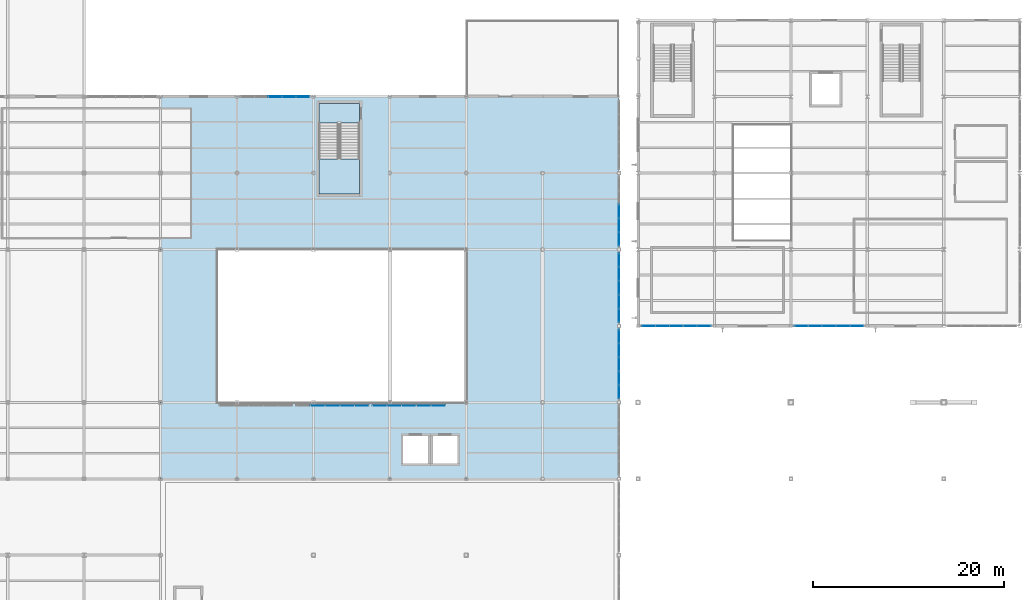
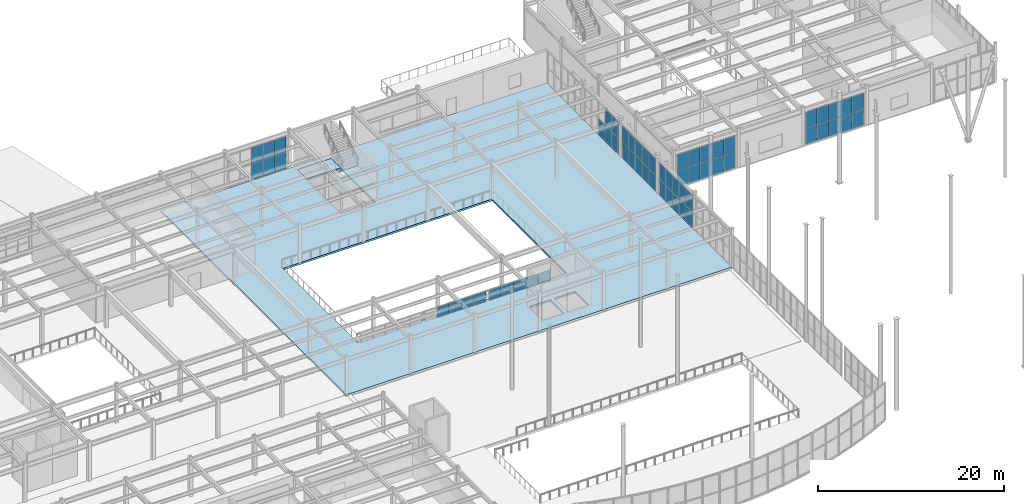
# One storey, part 50 of 77: 60 plates, 3 slabs, 9 elements without a shape of their own.
"""IFC4 building model written with IfcOpenShell, lengths in metres."""

from ifc_helpers import new_model, si_unit, direction, frame, origin, origin_2d, place, context, subcontext, project, spatial, polyline, rectangle, outline, extrude, material, layer, layer_set, type_object, element, aggregate, save


model = new_model("IFC4")

# Units and contexts
model_context = context("Model", 3, precision=1e-05, world=origin(), true_north=direction((0.0, 1.0)))
body_context = subcontext(model_context, "Body", "Model", "MODEL_VIEW")
ifc_project = project(units=[si_unit("LENGTHUNIT", "METRE"), si_unit("AREAUNIT", "SQUARE_METRE"), si_unit("VOLUMEUNIT", "CUBIC_METRE"), si_unit("PLANEANGLEUNIT", "RADIAN"), si_unit("MASSUNIT", "GRAM", prefix="KILO")], contexts=[model_context])

# Site, building, storey
site_placement = place(None, origin())
site = spatial("IfcSite", under=ifc_project, at=site_placement, CompositionType="ELEMENT")
building_placement = place(site_placement, origin())
building = spatial("IfcBuilding", under=site, at=building_placement, Name="Drelvath Fold Interchange", CompositionType="ELEMENT")
storey_placement = place(building_placement, frame((0.0, 0.0, 6.0)))
storey = spatial("IfcBuildingStorey", under=building, at=storey_placement, Name="L01", CompositionType="ELEMENT", Elevation=6.0)

# Curtain wall, plates
ifc_material_1 = material(Name="Anodized Aluminium 6063-T6", Category="aluminium")
curtain_wall_type_1 = type_object("IfcCurtainWallType", Name="CW-ATR-SCR", PredefinedType="USERDEFINED", material=ifc_material_1)
curtain_wall_1_placement = place(storey_placement, origin())
curtain_wall_1 = element("IfcCurtainWall", 1, at=curtain_wall_1_placement, inside=storey, type_object=curtain_wall_type_1, Name="Curtain wall CW-ATR-L01-S66", ObjectType="GLAZED SCREEN WALL", PredefinedType="USERDEFINED")
ifc_material_2 = material(Name="Low-Iron Insulated Laminated Glass", Category="glass")
ifc_layer_1 = layer(ifc_material_2, 0.02001953125, Name="Low-Iron Insulated Laminated Glass")
ifc_layer_set_1 = layer_set([ifc_layer_1], Name="Low-Iron Insulated Laminated Glass")
plate_type_1 = type_object("IfcPlateType", Name="CP-ATR-A", PredefinedType="CURTAIN_PANEL", material=ifc_layer_set_1)
plate_1_placement = place(storey_placement, frame((68.4599609375, 66.64990234375, 0.0400390625), z_axis=(0.0, 0.0, 1.0), x_axis=(1.0, 0.0, 0.0)))
plate_1 = element("IfcPlate", 2, at=plate_1_placement, type_object=plate_type_1, Name="CW-ATR-L01-S66 glazed panel 1-0", PredefinedType="CURTAIN_PANEL", context=body_context, shape_type="SweptSolid", body=[
    extrude(rectangle(XDim=1.52001953125, YDim=0.02001953125, at=origin_2d()), origin(), (0.0, 0.0, 1.0), 1.3701171875),
])
plate_2_placement = place(storey_placement, frame((70.0, 66.64990234375, 0.0400390625), z_axis=(0.0, 0.0, 1.0), x_axis=(1.0, 0.0, 0.0)))
plate_2 = element("IfcPlate", 3, at=plate_2_placement, type_object=plate_type_1, Name="CW-ATR-L01-S66 glazed panel 2-0", PredefinedType="CURTAIN_PANEL", context=body_context, shape_type="SweptSolid", body=[
    extrude(rectangle(XDim=1.52001953125, YDim=0.02001953125, at=origin_2d()), origin(), (0.0, 0.0, 1.0), 1.3701171875),
])
plate_3_placement = place(storey_placement, frame((71.5400390625, 66.64990234375, 0.0400390625), z_axis=(0.0, 0.0, 1.0), x_axis=(1.0, 0.0, 0.0)))
plate_3 = element("IfcPlate", 4, at=plate_3_placement, type_object=plate_type_1, Name="CW-ATR-L01-S66 glazed panel 3-0", PredefinedType="CURTAIN_PANEL", context=body_context, shape_type="SweptSolid", body=[
    extrude(rectangle(XDim=1.52001953125, YDim=0.02001953125, at=origin_2d()), origin(), (0.0, 0.0, 1.0), 1.3701171875),
])
plate_4_placement = place(storey_placement, frame((73.06005859375, 66.64990234375, 0.0400390625), z_axis=(0.0, 0.0, 1.0), x_axis=(1.0, 0.0, 0.0)))
plate_4 = element("IfcPlate", 5, at=plate_4_placement, type_object=plate_type_1, Name="CW-ATR-L01-S66 glazed panel 4-0", PredefinedType="CURTAIN_PANEL", context=body_context, shape_type="SweptSolid", body=[
    extrude(rectangle(XDim=1.47998046875, YDim=0.02001953125, at=origin_2d()), origin(), (0.0, 0.0, 1.0), 1.3701171875),
])
aggregate(curtain_wall_1, [plate_1, plate_2, plate_3, plate_4])

curtain_wall_2_placement = place(storey_placement, origin())
curtain_wall_2 = element("IfcCurtainWall", 6, at=curtain_wall_2_placement, inside=storey, type_object=curtain_wall_type_1, Name="Curtain wall CW-ATR-L01-S74", ObjectType="GLAZED SCREEN WALL", PredefinedType="USERDEFINED")
plate_5_placement = place(storey_placement, frame((74.93994140625, 66.64990234375, 0.0400390625), z_axis=(0.0, 0.0, 1.0), x_axis=(1.0, 0.0, 0.0)))
plate_5 = element("IfcPlate", 7, at=plate_5_placement, type_object=plate_type_1, Name="CW-ATR-L01-S74 glazed panel 0-0", PredefinedType="CURTAIN_PANEL", context=body_context, shape_type="SweptSolid", body=[
    extrude(rectangle(XDim=1.47998046875, YDim=0.02001953125, at=origin_2d()), origin(), (0.0, 0.0, 1.0), 1.3701171875),
])
plate_6_placement = place(storey_placement, frame((76.4599609375, 66.64990234375, 0.0400390625), z_axis=(0.0, 0.0, 1.0), x_axis=(1.0, 0.0, 0.0)))
plate_6 = element("IfcPlate", 8, at=plate_6_placement, type_object=plate_type_1, Name="CW-ATR-L01-S74 glazed panel 1-0", PredefinedType="CURTAIN_PANEL", context=body_context, shape_type="SweptSolid", body=[
    extrude(rectangle(XDim=1.52001953125, YDim=0.02001953125, at=origin_2d()), origin(), (0.0, 0.0, 1.0), 1.3701171875),
])
plate_7_placement = place(storey_placement, frame((78.0, 66.64990234375, 0.0400390625), z_axis=(0.0, 0.0, 1.0), x_axis=(1.0, 0.0, 0.0)))
plate_7 = element("IfcPlate", 9, at=plate_7_placement, type_object=plate_type_1, Name="CW-ATR-L01-S74 glazed panel 2-0", PredefinedType="CURTAIN_PANEL", context=body_context, shape_type="SweptSolid", body=[
    extrude(rectangle(XDim=1.52001953125, YDim=0.02001953125, at=origin_2d()), origin(), (0.0, 0.0, 1.0), 1.3701171875),
])
plate_8_placement = place(storey_placement, frame((79.5400390625, 66.64990234375, 0.0400390625), z_axis=(0.0, 0.0, 1.0), x_axis=(1.0, 0.0, 0.0)))
plate_8 = element("IfcPlate", 10, at=plate_8_placement, type_object=plate_type_1, Name="CW-ATR-L01-S74 glazed panel 3-0", PredefinedType="CURTAIN_PANEL", context=body_context, shape_type="SweptSolid", body=[
    extrude(rectangle(XDim=1.52001953125, YDim=0.02001953125, at=origin_2d()), origin(), (0.0, 0.0, 1.0), 1.3701171875),
])
plate_9_placement = place(storey_placement, frame((81.06005859375, 66.64990234375, 0.0400390625), z_axis=(0.0, 0.0, 1.0), x_axis=(1.0, 0.0, 0.0)))
plate_9 = element("IfcPlate", 11, at=plate_9_placement, type_object=plate_type_1, Name="CW-ATR-L01-S74 glazed panel 4-0", PredefinedType="CURTAIN_PANEL", context=body_context, shape_type="SweptSolid", body=[
    extrude(rectangle(XDim=1.47998046875, YDim=0.02001953125, at=origin_2d()), origin(), (0.0, 0.0, 1.0), 1.3701171875),
])
aggregate(curtain_wall_2, [plate_5, plate_6, plate_7, plate_8, plate_9])

curtain_wall_type_2 = type_object("IfcCurtainWallType", Name="CW-CON-520", PredefinedType="USERDEFINED", material=ifc_material_1)
curtain_wall_3_placement = place(storey_placement, origin())
curtain_wall_3 = element("IfcCurtainWall", 12, at=curtain_wall_3_placement, inside=storey, type_object=curtain_wall_type_2, Name="Curtain wall CW-V1-L01-N60", ObjectType="UNITISED CURTAIN WALL", PredefinedType="USERDEFINED")
ifc_layer_2 = layer(ifc_material_2, 0.05810546875, Name="Low-Iron Insulated Laminated Glass")
ifc_layer_set_2 = layer_set([ifc_layer_2], Name="Low-Iron Insulated Laminated Glass")
plate_type_2 = type_object("IfcPlateType", Name="CP-CON-B", PredefinedType="CURTAIN_PANEL", material=ifc_layer_set_2)
plate_10_placement = place(storey_placement, frame((64.0, 99.0, 0.04052734375), z_axis=(0.0, 0.0, 1.0), x_axis=(1.0, 0.0, 0.0)))
plate_10 = element("IfcPlate", 13, at=plate_10_placement, type_object=plate_type_2, Name="CW-V1-L01-N60 glazed panel 2-0", PredefinedType="CURTAIN_PANEL", context=body_context, shape_type="SweptSolid", body=[
    extrude(rectangle(XDim=1.43603515625, YDim=0.05810546875, at=origin_2d()), origin(), (0.0, 0.0, 1.0), 2.125),
])
plate_11_placement = place(storey_placement, frame((64.0, 99.0, 2.185546875), z_axis=(0.0, 0.0, 1.0), x_axis=(1.0, 0.0, 0.0)))
plate_11 = element("IfcPlate", 14, at=plate_11_placement, type_object=plate_type_2, Name="CW-V1-L01-N60 glazed panel 2-1", PredefinedType="CURTAIN_PANEL", context=body_context, shape_type="SweptSolid", body=[
    extrude(rectangle(XDim=1.43603515625, YDim=0.05810546875, at=origin_2d()), origin(), (0.0, 0.0, 1.0), 2.125),
])
plate_12_placement = place(storey_placement, frame((65.4560546875, 99.0, 0.04052734375), z_axis=(0.0, 0.0, 1.0), x_axis=(1.0, 0.0, 0.0)))
plate_12 = element("IfcPlate", 15, at=plate_12_placement, type_object=plate_type_2, Name="CW-V1-L01-N60 glazed panel 3-0", PredefinedType="CURTAIN_PANEL", context=body_context, shape_type="SweptSolid", body=[
    extrude(rectangle(XDim=1.43603515625, YDim=0.05810546875, at=origin_2d()), origin(), (0.0, 0.0, 1.0), 2.125),
])
plate_13_placement = place(storey_placement, frame((65.4560546875, 99.0, 2.185546875), z_axis=(0.0, 0.0, 1.0), x_axis=(1.0, 0.0, 0.0)))
plate_13 = element("IfcPlate", 16, at=plate_13_placement, type_object=plate_type_2, Name="CW-V1-L01-N60 glazed panel 3-1", PredefinedType="CURTAIN_PANEL", context=body_context, shape_type="SweptSolid", body=[
    extrude(rectangle(XDim=1.43603515625, YDim=0.05810546875, at=origin_2d()), origin(), (0.0, 0.0, 1.0), 2.125),
])
plate_14_placement = place(storey_placement, frame((66.89208984375, 99.0, 0.04052734375), z_axis=(0.0, 0.0, 1.0), x_axis=(1.0, 0.0, 0.0)))
plate_14 = element("IfcPlate", 17, at=plate_14_placement, type_object=plate_type_2, Name="CW-V1-L01-N60 glazed panel 4-0", PredefinedType="CURTAIN_PANEL", context=body_context, shape_type="SweptSolid", body=[
    extrude(rectangle(XDim=1.39599609375, YDim=0.05810546875, at=origin_2d()), origin(), (0.0, 0.0, 1.0), 2.125),
])
plate_15_placement = place(storey_placement, frame((66.89208984375, 99.0, 2.185546875), z_axis=(0.0, 0.0, 1.0), x_axis=(1.0, 0.0, 0.0)))
plate_15 = element("IfcPlate", 18, at=plate_15_placement, type_object=plate_type_2, Name="CW-V1-L01-N60 glazed panel 4-1", PredefinedType="CURTAIN_PANEL", context=body_context, shape_type="SweptSolid", body=[
    extrude(rectangle(XDim=1.39599609375, YDim=0.05810546875, at=origin_2d()), origin(), (0.0, 0.0, 1.0), 2.125),
])
aggregate(curtain_wall_3, [plate_10, plate_11, plate_12, plate_13, plate_14, plate_15])

curtain_wall_4_placement = place(storey_placement, origin())
curtain_wall_4 = element("IfcCurtainWall", 19, at=curtain_wall_4_placement, inside=storey, type_object=curtain_wall_type_2, Name="Curtain wall CW-V1E-L01-Y67", ObjectType="UNITISED CURTAIN WALL", PredefinedType="USERDEFINED")
plate_16_placement = place(storey_placement, frame((100.0, 68.10791015625, 0.04052734375), z_axis=(0.0, 0.0, 1.0), x_axis=(0.0, 1.0, 0.0)))
plate_16 = element("IfcPlate", 20, at=plate_16_placement, type_object=plate_type_2, Name="CW-V1E-L01-Y67 glazed panel 0-0", PredefinedType="CURTAIN_PANEL", context=body_context, shape_type="SweptSolid", body=[
    extrude(rectangle(XDim=1.39599609375, YDim=0.05810546875, at=origin_2d()), origin(), (0.0, 0.0, 1.0), 2.125),
])
plate_17_placement = place(storey_placement, frame((100.0, 68.10791015625, 2.185546875), z_axis=(0.0, 0.0, 1.0), x_axis=(0.0, 1.0, 0.0)))
plate_17 = element("IfcPlate", 21, at=plate_17_placement, type_object=plate_type_2, Name="CW-V1E-L01-Y67 glazed panel 0-1", PredefinedType="CURTAIN_PANEL", context=body_context, shape_type="SweptSolid", body=[
    extrude(rectangle(XDim=1.39599609375, YDim=0.05810546875, at=origin_2d()), origin(), (0.0, 0.0, 1.0), 2.125),
])
plate_18_placement = place(storey_placement, frame((100.0, 69.5439453125, 0.04052734375), z_axis=(0.0, 0.0, 1.0), x_axis=(0.0, 1.0, 0.0)))
plate_18 = element("IfcPlate", 22, at=plate_18_placement, type_object=plate_type_2, Name="CW-V1E-L01-Y67 glazed panel 1-0", PredefinedType="CURTAIN_PANEL", context=body_context, shape_type="SweptSolid", body=[
    extrude(rectangle(XDim=1.43603515625, YDim=0.05810546875, at=origin_2d()), origin(), (0.0, 0.0, 1.0), 2.125),
])
plate_19_placement = place(storey_placement, frame((100.0, 69.5439453125, 2.185546875), z_axis=(0.0, 0.0, 1.0), x_axis=(0.0, 1.0, 0.0)))
plate_19 = element("IfcPlate", 23, at=plate_19_placement, type_object=plate_type_2, Name="CW-V1E-L01-Y67 glazed panel 1-1", PredefinedType="CURTAIN_PANEL", context=body_context, shape_type="SweptSolid", body=[
    extrude(rectangle(XDim=1.43603515625, YDim=0.05810546875, at=origin_2d()), origin(), (0.0, 0.0, 1.0), 2.125),
])
plate_20_placement = place(storey_placement, frame((100.0, 71.0, 0.04052734375), z_axis=(0.0, 0.0, 1.0), x_axis=(0.0, 1.0, 0.0)))
plate_20 = element("IfcPlate", 24, at=plate_20_placement, type_object=plate_type_2, Name="CW-V1E-L01-Y67 glazed panel 2-0", PredefinedType="CURTAIN_PANEL", context=body_context, shape_type="SweptSolid", body=[
    extrude(rectangle(XDim=1.43603515625, YDim=0.05810546875, at=origin_2d()), origin(), (0.0, 0.0, 1.0), 2.125),
])
plate_21_placement = place(storey_placement, frame((100.0, 71.0, 2.185546875), z_axis=(0.0, 0.0, 1.0), x_axis=(0.0, 1.0, 0.0)))
plate_21 = element("IfcPlate", 25, at=plate_21_placement, type_object=plate_type_2, Name="CW-V1E-L01-Y67 glazed panel 2-1", PredefinedType="CURTAIN_PANEL", context=body_context, shape_type="SweptSolid", body=[
    extrude(rectangle(XDim=1.43603515625, YDim=0.05810546875, at=origin_2d()), origin(), (0.0, 0.0, 1.0), 2.125),
])
plate_22_placement = place(storey_placement, frame((100.0, 72.4560546875, 0.04052734375), z_axis=(0.0, 0.0, 1.0), x_axis=(0.0, 1.0, 0.0)))
plate_22 = element("IfcPlate", 26, at=plate_22_placement, type_object=plate_type_2, Name="CW-V1E-L01-Y67 glazed panel 3-0", PredefinedType="CURTAIN_PANEL", context=body_context, shape_type="SweptSolid", body=[
    extrude(rectangle(XDim=1.43603515625, YDim=0.05810546875, at=origin_2d()), origin(), (0.0, 0.0, 1.0), 2.125),
])
plate_23_placement = place(storey_placement, frame((100.0, 72.4560546875, 2.185546875), z_axis=(0.0, 0.0, 1.0), x_axis=(0.0, 1.0, 0.0)))
plate_23 = element("IfcPlate", 27, at=plate_23_placement, type_object=plate_type_2, Name="CW-V1E-L01-Y67 glazed panel 3-1", PredefinedType="CURTAIN_PANEL", context=body_context, shape_type="SweptSolid", body=[
    extrude(rectangle(XDim=1.43603515625, YDim=0.05810546875, at=origin_2d()), origin(), (0.0, 0.0, 1.0), 2.125),
])
plate_24_placement = place(storey_placement, frame((100.0, 73.89208984375, 0.04052734375), z_axis=(0.0, 0.0, 1.0), x_axis=(0.0, 1.0, 0.0)))
plate_24 = element("IfcPlate", 28, at=plate_24_placement, type_object=plate_type_2, Name="CW-V1E-L01-Y67 glazed panel 4-0", PredefinedType="CURTAIN_PANEL", context=body_context, shape_type="SweptSolid", body=[
    extrude(rectangle(XDim=1.39599609375, YDim=0.05810546875, at=origin_2d()), origin(), (0.0, 0.0, 1.0), 2.125),
])
plate_25_placement = place(storey_placement, frame((100.0, 73.89208984375, 2.185546875), z_axis=(0.0, 0.0, 1.0), x_axis=(0.0, 1.0, 0.0)))
plate_25 = element("IfcPlate", 29, at=plate_25_placement, type_object=plate_type_2, Name="CW-V1E-L01-Y67 glazed panel 4-1", PredefinedType="CURTAIN_PANEL", context=body_context, shape_type="SweptSolid", body=[
    extrude(rectangle(XDim=1.39599609375, YDim=0.05810546875, at=origin_2d()), origin(), (0.0, 0.0, 1.0), 2.125),
])
aggregate(curtain_wall_4, [plate_16, plate_17, plate_18, plate_19, plate_20, plate_21, plate_22, plate_23, plate_24, plate_25])

curtain_wall_5_placement = place(storey_placement, origin())
curtain_wall_5 = element("IfcCurtainWall", 30, at=curtain_wall_5_placement, inside=storey, type_object=curtain_wall_type_2, Name="Curtain wall CW-V1E-L01-Y75", ObjectType="UNITISED CURTAIN WALL", PredefinedType="USERDEFINED")
plate_26_placement = place(storey_placement, frame((100.0, 76.10791015625, 0.04052734375), z_axis=(0.0, 0.0, 1.0), x_axis=(0.0, 1.0, 0.0)))
plate_26 = element("IfcPlate", 31, at=plate_26_placement, type_object=plate_type_2, Name="CW-V1E-L01-Y75 glazed panel 0-0", PredefinedType="CURTAIN_PANEL", context=body_context, shape_type="SweptSolid", body=[
    extrude(rectangle(XDim=1.39599609375, YDim=0.05810546875, at=origin_2d()), origin(), (0.0, 0.0, 1.0), 2.125),
])
plate_27_placement = place(storey_placement, frame((100.0, 76.10791015625, 2.185546875), z_axis=(0.0, 0.0, 1.0), x_axis=(0.0, 1.0, 0.0)))
plate_27 = element("IfcPlate", 32, at=plate_27_placement, type_object=plate_type_2, Name="CW-V1E-L01-Y75 glazed panel 0-1", PredefinedType="CURTAIN_PANEL", context=body_context, shape_type="SweptSolid", body=[
    extrude(rectangle(XDim=1.39599609375, YDim=0.05810546875, at=origin_2d()), origin(), (0.0, 0.0, 1.0), 2.125),
])
plate_28_placement = place(storey_placement, frame((100.0, 77.5439453125, 0.04052734375), z_axis=(0.0, 0.0, 1.0), x_axis=(0.0, 1.0, 0.0)))
plate_28 = element("IfcPlate", 33, at=plate_28_placement, type_object=plate_type_2, Name="CW-V1E-L01-Y75 glazed panel 1-0", PredefinedType="CURTAIN_PANEL", context=body_context, shape_type="SweptSolid", body=[
    extrude(rectangle(XDim=1.43603515625, YDim=0.05810546875, at=origin_2d()), origin(), (0.0, 0.0, 1.0), 2.125),
])
plate_29_placement = place(storey_placement, frame((100.0, 77.5439453125, 2.185546875), z_axis=(0.0, 0.0, 1.0), x_axis=(0.0, 1.0, 0.0)))
plate_29 = element("IfcPlate", 34, at=plate_29_placement, type_object=plate_type_2, Name="CW-V1E-L01-Y75 glazed panel 1-1", PredefinedType="CURTAIN_PANEL", context=body_context, shape_type="SweptSolid", body=[
    extrude(rectangle(XDim=1.43603515625, YDim=0.05810546875, at=origin_2d()), origin(), (0.0, 0.0, 1.0), 2.125),
])
plate_30_placement = place(storey_placement, frame((100.0, 79.0, 0.04052734375), z_axis=(0.0, 0.0, 1.0), x_axis=(0.0, 1.0, 0.0)))
plate_30 = element("IfcPlate", 35, at=plate_30_placement, type_object=plate_type_2, Name="CW-V1E-L01-Y75 glazed panel 2-0", PredefinedType="CURTAIN_PANEL", context=body_context, shape_type="SweptSolid", body=[
    extrude(rectangle(XDim=1.43603515625, YDim=0.05810546875, at=origin_2d()), origin(), (0.0, 0.0, 1.0), 2.125),
])
plate_31_placement = place(storey_placement, frame((100.0, 79.0, 2.185546875), z_axis=(0.0, 0.0, 1.0), x_axis=(0.0, 1.0, 0.0)))
plate_31 = element("IfcPlate", 36, at=plate_31_placement, type_object=plate_type_2, Name="CW-V1E-L01-Y75 glazed panel 2-1", PredefinedType="CURTAIN_PANEL", context=body_context, shape_type="SweptSolid", body=[
    extrude(rectangle(XDim=1.43603515625, YDim=0.05810546875, at=origin_2d()), origin(), (0.0, 0.0, 1.0), 2.125),
])
plate_32_placement = place(storey_placement, frame((100.0, 80.4560546875, 0.04052734375), z_axis=(0.0, 0.0, 1.0), x_axis=(0.0, 1.0, 0.0)))
plate_32 = element("IfcPlate", 37, at=plate_32_placement, type_object=plate_type_2, Name="CW-V1E-L01-Y75 glazed panel 3-0", PredefinedType="CURTAIN_PANEL", context=body_context, shape_type="SweptSolid", body=[
    extrude(rectangle(XDim=1.43603515625, YDim=0.05810546875, at=origin_2d()), origin(), (0.0, 0.0, 1.0), 2.125),
])
plate_33_placement = place(storey_placement, frame((100.0, 80.4560546875, 2.185546875), z_axis=(0.0, 0.0, 1.0), x_axis=(0.0, 1.0, 0.0)))
plate_33 = element("IfcPlate", 38, at=plate_33_placement, type_object=plate_type_2, Name="CW-V1E-L01-Y75 glazed panel 3-1", PredefinedType="CURTAIN_PANEL", context=body_context, shape_type="SweptSolid", body=[
    extrude(rectangle(XDim=1.43603515625, YDim=0.05810546875, at=origin_2d()), origin(), (0.0, 0.0, 1.0), 2.125),
])
plate_34_placement = place(storey_placement, frame((100.0, 81.89208984375, 0.04052734375), z_axis=(0.0, 0.0, 1.0), x_axis=(0.0, 1.0, 0.0)))
plate_34 = element("IfcPlate", 39, at=plate_34_placement, type_object=plate_type_2, Name="CW-V1E-L01-Y75 glazed panel 4-0", PredefinedType="CURTAIN_PANEL", context=body_context, shape_type="SweptSolid", body=[
    extrude(rectangle(XDim=1.39599609375, YDim=0.05810546875, at=origin_2d()), origin(), (0.0, 0.0, 1.0), 2.125),
])
plate_35_placement = place(storey_placement, frame((100.0, 81.89208984375, 2.185546875), z_axis=(0.0, 0.0, 1.0), x_axis=(0.0, 1.0, 0.0)))
plate_35 = element("IfcPlate", 40, at=plate_35_placement, type_object=plate_type_2, Name="CW-V1E-L01-Y75 glazed panel 4-1", PredefinedType="CURTAIN_PANEL", context=body_context, shape_type="SweptSolid", body=[
    extrude(rectangle(XDim=1.39599609375, YDim=0.05810546875, at=origin_2d()), origin(), (0.0, 0.0, 1.0), 2.125),
])
aggregate(curtain_wall_5, [plate_26, plate_27, plate_28, plate_29, plate_30, plate_31, plate_32, plate_33, plate_34, plate_35])

curtain_wall_6_placement = place(storey_placement, origin())
curtain_wall_6 = element("IfcCurtainWall", 41, at=curtain_wall_6_placement, inside=storey, type_object=curtain_wall_type_2, Name="Curtain wall CW-V1E-L01-Y83", ObjectType="UNITISED CURTAIN WALL", PredefinedType="USERDEFINED")
plate_36_placement = place(storey_placement, frame((100.0, 84.10791015625, 0.04052734375), z_axis=(0.0, 0.0, 1.0), x_axis=(0.0, 1.0, 0.0)))
plate_36 = element("IfcPlate", 42, at=plate_36_placement, type_object=plate_type_2, Name="CW-V1E-L01-Y83 glazed panel 0-0", PredefinedType="CURTAIN_PANEL", context=body_context, shape_type="SweptSolid", body=[
    extrude(rectangle(XDim=1.39599609375, YDim=0.05810546875, at=origin_2d()), origin(), (0.0, 0.0, 1.0), 2.125),
])
plate_37_placement = place(storey_placement, frame((100.0, 84.10791015625, 2.185546875), z_axis=(0.0, 0.0, 1.0), x_axis=(0.0, 1.0, 0.0)))
plate_37 = element("IfcPlate", 43, at=plate_37_placement, type_object=plate_type_2, Name="CW-V1E-L01-Y83 glazed panel 0-1", PredefinedType="CURTAIN_PANEL", context=body_context, shape_type="SweptSolid", body=[
    extrude(rectangle(XDim=1.39599609375, YDim=0.05810546875, at=origin_2d()), origin(), (0.0, 0.0, 1.0), 2.125),
])
plate_38_placement = place(storey_placement, frame((100.0, 85.5439453125, 0.04052734375), z_axis=(0.0, 0.0, 1.0), x_axis=(0.0, 1.0, 0.0)))
plate_38 = element("IfcPlate", 44, at=plate_38_placement, type_object=plate_type_2, Name="CW-V1E-L01-Y83 glazed panel 1-0", PredefinedType="CURTAIN_PANEL", context=body_context, shape_type="SweptSolid", body=[
    extrude(rectangle(XDim=1.43603515625, YDim=0.05810546875, at=origin_2d()), origin(), (0.0, 0.0, 1.0), 2.125),
])
plate_39_placement = place(storey_placement, frame((100.0, 85.5439453125, 2.185546875), z_axis=(0.0, 0.0, 1.0), x_axis=(0.0, 1.0, 0.0)))
plate_39 = element("IfcPlate", 45, at=plate_39_placement, type_object=plate_type_2, Name="CW-V1E-L01-Y83 glazed panel 1-1", PredefinedType="CURTAIN_PANEL", context=body_context, shape_type="SweptSolid", body=[
    extrude(rectangle(XDim=1.43603515625, YDim=0.05810546875, at=origin_2d()), origin(), (0.0, 0.0, 1.0), 2.125),
])
plate_40_placement = place(storey_placement, frame((100.0, 87.0, 0.04052734375), z_axis=(0.0, 0.0, 1.0), x_axis=(0.0, 1.0, 0.0)))
plate_40 = element("IfcPlate", 46, at=plate_40_placement, type_object=plate_type_2, Name="CW-V1E-L01-Y83 glazed panel 2-0", PredefinedType="CURTAIN_PANEL", context=body_context, shape_type="SweptSolid", body=[
    extrude(rectangle(XDim=1.43603515625, YDim=0.05810546875, at=origin_2d()), origin(), (0.0, 0.0, 1.0), 2.125),
])
aggregate(curtain_wall_6, [plate_36, plate_37, plate_38, plate_39, plate_40])

curtain_wall_type_3 = type_object("IfcCurtainWallType", Name="CW-CYC-430", PredefinedType="USERDEFINED", material=ifc_material_1)
curtain_wall_7_placement = place(storey_placement, origin())
curtain_wall_7 = element("IfcCurtainWall", 47, at=curtain_wall_7_placement, inside=storey, type_object=curtain_wall_type_3, Name="Curtain wall CW-CYC-L01-S102", ObjectType="UNITISED CURTAIN WALL", PredefinedType="USERDEFINED")
ifc_layer_3 = layer(ifc_material_2, 0.028076171875, Name="Low-Iron Insulated Laminated Glass")
ifc_layer_set_3 = layer_set([ifc_layer_3], Name="Low-Iron Insulated Laminated Glass")
plate_type_3 = type_object("IfcPlateType", Name="CP-CYC-A", PredefinedType="CURTAIN_PANEL", material=ifc_layer_set_3)
plate_41_placement = place(storey_placement, frame((103.10791015625, 75.0, 0.0400390625), z_axis=(0.0, 0.0, 1.0), x_axis=(1.0, 0.0, 0.0)))
plate_41 = element("IfcPlate", 48, at=plate_41_placement, type_object=plate_type_3, Name="CW-CYC-L01-S102 glazed panel 0-0", PredefinedType="CURTAIN_PANEL", context=body_context, shape_type="SweptSolid", body=[
    extrude(rectangle(XDim=1.39599609375, YDim=0.028076171875, at=origin_2d()), origin(), (0.0, 0.0, 1.0), 2.10009765625),
])
plate_42_placement = place(storey_placement, frame((103.10791015625, 75.0, 2.159912109375), z_axis=(0.0, 0.0, 1.0), x_axis=(1.0, 0.0, 0.0)))
plate_42 = element("IfcPlate", 49, at=plate_42_placement, type_object=plate_type_3, Name="CW-CYC-L01-S102 glazed panel 0-1", PredefinedType="CURTAIN_PANEL", context=body_context, shape_type="SweptSolid", body=[
    extrude(rectangle(XDim=1.39599609375, YDim=0.028076171875, at=origin_2d()), origin(), (0.0, 0.0, 1.0), 2.10009765625),
])
plate_43_placement = place(storey_placement, frame((104.5439453125, 75.0, 0.0400390625), z_axis=(0.0, 0.0, 1.0), x_axis=(1.0, 0.0, 0.0)))
plate_43 = element("IfcPlate", 50, at=plate_43_placement, type_object=plate_type_3, Name="CW-CYC-L01-S102 glazed panel 1-0", PredefinedType="CURTAIN_PANEL", context=body_context, shape_type="SweptSolid", body=[
    extrude(rectangle(XDim=1.43603515625, YDim=0.028076171875, at=origin_2d()), origin(), (0.0, 0.0, 1.0), 2.10009765625),
])
plate_44_placement = place(storey_placement, frame((104.5439453125, 75.0, 2.159912109375), z_axis=(0.0, 0.0, 1.0), x_axis=(1.0, 0.0, 0.0)))
plate_44 = element("IfcPlate", 51, at=plate_44_placement, type_object=plate_type_3, Name="CW-CYC-L01-S102 glazed panel 1-1", PredefinedType="CURTAIN_PANEL", context=body_context, shape_type="SweptSolid", body=[
    extrude(rectangle(XDim=1.43603515625, YDim=0.028076171875, at=origin_2d()), origin(), (0.0, 0.0, 1.0), 2.10009765625),
])
plate_45_placement = place(storey_placement, frame((106.0, 75.0, 0.0400390625), z_axis=(0.0, 0.0, 1.0), x_axis=(1.0, 0.0, 0.0)))
plate_45 = element("IfcPlate", 52, at=plate_45_placement, type_object=plate_type_3, Name="CW-CYC-L01-S102 glazed panel 2-0", PredefinedType="CURTAIN_PANEL", context=body_context, shape_type="SweptSolid", body=[
    extrude(rectangle(XDim=1.43603515625, YDim=0.028076171875, at=origin_2d()), origin(), (0.0, 0.0, 1.0), 2.10009765625),
])
plate_46_placement = place(storey_placement, frame((106.0, 75.0, 2.159912109375), z_axis=(0.0, 0.0, 1.0), x_axis=(1.0, 0.0, 0.0)))
plate_46 = element("IfcPlate", 53, at=plate_46_placement, type_object=plate_type_3, Name="CW-CYC-L01-S102 glazed panel 2-1", PredefinedType="CURTAIN_PANEL", context=body_context, shape_type="SweptSolid", body=[
    extrude(rectangle(XDim=1.43603515625, YDim=0.028076171875, at=origin_2d()), origin(), (0.0, 0.0, 1.0), 2.10009765625),
])
plate_47_placement = place(storey_placement, frame((107.4560546875, 75.0, 0.0400390625), z_axis=(0.0, 0.0, 1.0), x_axis=(1.0, 0.0, 0.0)))
plate_47 = element("IfcPlate", 54, at=plate_47_placement, type_object=plate_type_3, Name="CW-CYC-L01-S102 glazed panel 3-0", PredefinedType="CURTAIN_PANEL", context=body_context, shape_type="SweptSolid", body=[
    extrude(rectangle(XDim=1.43603515625, YDim=0.028076171875, at=origin_2d()), origin(), (0.0, 0.0, 1.0), 2.10009765625),
])
plate_48_placement = place(storey_placement, frame((107.4560546875, 75.0, 2.159912109375), z_axis=(0.0, 0.0, 1.0), x_axis=(1.0, 0.0, 0.0)))
plate_48 = element("IfcPlate", 55, at=plate_48_placement, type_object=plate_type_3, Name="CW-CYC-L01-S102 glazed panel 3-1", PredefinedType="CURTAIN_PANEL", context=body_context, shape_type="SweptSolid", body=[
    extrude(rectangle(XDim=1.43603515625, YDim=0.028076171875, at=origin_2d()), origin(), (0.0, 0.0, 1.0), 2.10009765625),
])
plate_49_placement = place(storey_placement, frame((108.89208984375, 75.0, 0.0400390625), z_axis=(0.0, 0.0, 1.0), x_axis=(1.0, 0.0, 0.0)))
plate_49 = element("IfcPlate", 56, at=plate_49_placement, type_object=plate_type_3, Name="CW-CYC-L01-S102 glazed panel 4-0", PredefinedType="CURTAIN_PANEL", context=body_context, shape_type="SweptSolid", body=[
    extrude(rectangle(XDim=1.39599609375, YDim=0.028076171875, at=origin_2d()), origin(), (0.0, 0.0, 1.0), 2.10009765625),
])
plate_50_placement = place(storey_placement, frame((108.89208984375, 75.0, 2.159912109375), z_axis=(0.0, 0.0, 1.0), x_axis=(1.0, 0.0, 0.0)))
plate_50 = element("IfcPlate", 57, at=plate_50_placement, type_object=plate_type_3, Name="CW-CYC-L01-S102 glazed panel 4-1", PredefinedType="CURTAIN_PANEL", context=body_context, shape_type="SweptSolid", body=[
    extrude(rectangle(XDim=1.39599609375, YDim=0.028076171875, at=origin_2d()), origin(), (0.0, 0.0, 1.0), 2.10009765625),
])
aggregate(curtain_wall_7, [plate_41, plate_42, plate_43, plate_44, plate_45, plate_46, plate_47, plate_48, plate_49, plate_50])

curtain_wall_8_placement = place(storey_placement, origin())
curtain_wall_8 = element("IfcCurtainWall", 58, at=curtain_wall_8_placement, inside=storey, type_object=curtain_wall_type_3, Name="Curtain wall CW-CYC-L01-S118", ObjectType="UNITISED CURTAIN WALL", PredefinedType="USERDEFINED")
plate_51_placement = place(storey_placement, frame((119.10791015625, 75.0, 0.0400390625), z_axis=(0.0, 0.0, 1.0), x_axis=(1.0, 0.0, 0.0)))
plate_51 = element("IfcPlate", 59, at=plate_51_placement, type_object=plate_type_3, Name="CW-CYC-L01-S118 glazed panel 0-0", PredefinedType="CURTAIN_PANEL", context=body_context, shape_type="SweptSolid", body=[
    extrude(rectangle(XDim=1.39599609375, YDim=0.028076171875, at=origin_2d()), origin(), (0.0, 0.0, 1.0), 2.10009765625),
])
plate_52_placement = place(storey_placement, frame((119.10791015625, 75.0, 2.159912109375), z_axis=(0.0, 0.0, 1.0), x_axis=(1.0, 0.0, 0.0)))
plate_52 = element("IfcPlate", 60, at=plate_52_placement, type_object=plate_type_3, Name="CW-CYC-L01-S118 glazed panel 0-1", PredefinedType="CURTAIN_PANEL", context=body_context, shape_type="SweptSolid", body=[
    extrude(rectangle(XDim=1.39599609375, YDim=0.028076171875, at=origin_2d()), origin(), (0.0, 0.0, 1.0), 2.10009765625),
])
plate_53_placement = place(storey_placement, frame((120.5439453125, 75.0, 0.0400390625), z_axis=(0.0, 0.0, 1.0), x_axis=(1.0, 0.0, 0.0)))
plate_53 = element("IfcPlate", 61, at=plate_53_placement, type_object=plate_type_3, Name="CW-CYC-L01-S118 glazed panel 1-0", PredefinedType="CURTAIN_PANEL", context=body_context, shape_type="SweptSolid", body=[
    extrude(rectangle(XDim=1.43603515625, YDim=0.028076171875, at=origin_2d()), origin(), (0.0, 0.0, 1.0), 2.10009765625),
])
plate_54_placement = place(storey_placement, frame((120.5439453125, 75.0, 2.159912109375), z_axis=(0.0, 0.0, 1.0), x_axis=(1.0, 0.0, 0.0)))
plate_54 = element("IfcPlate", 62, at=plate_54_placement, type_object=plate_type_3, Name="CW-CYC-L01-S118 glazed panel 1-1", PredefinedType="CURTAIN_PANEL", context=body_context, shape_type="SweptSolid", body=[
    extrude(rectangle(XDim=1.43603515625, YDim=0.028076171875, at=origin_2d()), origin(), (0.0, 0.0, 1.0), 2.10009765625),
])
plate_55_placement = place(storey_placement, frame((122.0, 75.0, 0.0400390625), z_axis=(0.0, 0.0, 1.0), x_axis=(1.0, 0.0, 0.0)))
plate_55 = element("IfcPlate", 63, at=plate_55_placement, type_object=plate_type_3, Name="CW-CYC-L01-S118 glazed panel 2-0", PredefinedType="CURTAIN_PANEL", context=body_context, shape_type="SweptSolid", body=[
    extrude(rectangle(XDim=1.43603515625, YDim=0.028076171875, at=origin_2d()), origin(), (0.0, 0.0, 1.0), 2.10009765625),
])
plate_56_placement = place(storey_placement, frame((122.0, 75.0, 2.159912109375), z_axis=(0.0, 0.0, 1.0), x_axis=(1.0, 0.0, 0.0)))
plate_56 = element("IfcPlate", 64, at=plate_56_placement, type_object=plate_type_3, Name="CW-CYC-L01-S118 glazed panel 2-1", PredefinedType="CURTAIN_PANEL", context=body_context, shape_type="SweptSolid", body=[
    extrude(rectangle(XDim=1.43603515625, YDim=0.028076171875, at=origin_2d()), origin(), (0.0, 0.0, 1.0), 2.10009765625),
])
plate_57_placement = place(storey_placement, frame((123.4560546875, 75.0, 0.0400390625), z_axis=(0.0, 0.0, 1.0), x_axis=(1.0, 0.0, 0.0)))
plate_57 = element("IfcPlate", 65, at=plate_57_placement, type_object=plate_type_3, Name="CW-CYC-L01-S118 glazed panel 3-0", PredefinedType="CURTAIN_PANEL", context=body_context, shape_type="SweptSolid", body=[
    extrude(rectangle(XDim=1.43603515625, YDim=0.028076171875, at=origin_2d()), origin(), (0.0, 0.0, 1.0), 2.10009765625),
])
plate_58_placement = place(storey_placement, frame((123.4560546875, 75.0, 2.159912109375), z_axis=(0.0, 0.0, 1.0), x_axis=(1.0, 0.0, 0.0)))
plate_58 = element("IfcPlate", 66, at=plate_58_placement, type_object=plate_type_3, Name="CW-CYC-L01-S118 glazed panel 3-1", PredefinedType="CURTAIN_PANEL", context=body_context, shape_type="SweptSolid", body=[
    extrude(rectangle(XDim=1.43603515625, YDim=0.028076171875, at=origin_2d()), origin(), (0.0, 0.0, 1.0), 2.10009765625),
])
plate_59_placement = place(storey_placement, frame((124.89208984375, 75.0, 0.0400390625), z_axis=(0.0, 0.0, 1.0), x_axis=(1.0, 0.0, 0.0)))
plate_59 = element("IfcPlate", 67, at=plate_59_placement, type_object=plate_type_3, Name="CW-CYC-L01-S118 glazed panel 4-0", PredefinedType="CURTAIN_PANEL", context=body_context, shape_type="SweptSolid", body=[
    extrude(rectangle(XDim=1.39599609375, YDim=0.028076171875, at=origin_2d()), origin(), (0.0, 0.0, 1.0), 2.10009765625),
])
plate_60_placement = place(storey_placement, frame((124.89208984375, 75.0, 2.159912109375), z_axis=(0.0, 0.0, 1.0), x_axis=(1.0, 0.0, 0.0)))
plate_60 = element("IfcPlate", 68, at=plate_60_placement, type_object=plate_type_3, Name="CW-CYC-L01-S118 glazed panel 4-1", PredefinedType="CURTAIN_PANEL", context=body_context, shape_type="SweptSolid", body=[
    extrude(rectangle(XDim=1.39599609375, YDim=0.028076171875, at=origin_2d()), origin(), (0.0, 0.0, 1.0), 2.10009765625),
])
aggregate(curtain_wall_8, [plate_51, plate_52, plate_53, plate_54, plate_55, plate_56, plate_57, plate_58, plate_59, plate_60])

# Slabs
ifc_material_3 = material(Name="Concrete f'c 35 MPa (5000 psi)", Category="concrete")
ifc_layer_4 = layer(ifc_material_3, 0.239990234375, Name="Concrete f'c 35 MPa (5000 psi)")
ifc_layer_set_4 = layer_set([ifc_layer_4], Name="Concrete f'c 35 MPa (5000 psi)")
slab_type_1 = type_object("IfcSlabType", Name="FS-UP1", PredefinedType="FLOOR", material=ifc_layer_set_4)
slab_1_placement = place(storey_placement, frame((0.0, 0.0, -0.239990234375)))
element("IfcSlab", 69, at=slab_1_placement, inside=storey, type_object=slab_type_1, Name="L01 structural slab SL-L01-V1E", PredefinedType="FLOOR", context=body_context, shape_type="SweptSolid", body=[
    extrude(outline(polyline([(52.0, 59.0), (100.0, 59.0), (100.0, 99.0), (52.0, 99.0), (52.0, 59.0)]), holes=[polyline([(58.0, 67.0), (58.0, 83.0), (84.0, 83.0), (84.0, 67.0), (58.0, 67.0)]), polyline([(68.60009765625, 88.800048828125), (68.60009765625, 98.300048828125), (72.820068359375, 98.300048828125), (72.820068359375, 88.800048828125), (68.60009765625, 88.800048828125)]), polyline([(77.39990234375, 60.60009765625), (77.39990234375, 63.5), (80.0, 63.5), (80.0, 60.60009765625), (77.39990234375, 60.60009765625)]), polyline([(80.5, 60.60009765625), (80.5, 63.5), (83.10009765625, 63.5), (83.10009765625, 60.60009765625), (80.5, 60.60009765625)])]), origin(), (0.0, 0.0, 1.0), 0.239990234375),
])
slab_2_placement = place(storey_placement, frame((0.0, 0.0, -0.239990234375)))
element("IfcSlab", 70, at=slab_2_placement, inside=storey, type_object=slab_type_1, Name="ST-06 L01 stair floor landing slab", PredefinedType="FLOOR", context=body_context, shape_type="SweptSolid", body=[
    extrude(outline(polyline([(68.60009765625, 96.25), (72.820068359375, 96.25), (72.820068359375, 98.300048828125), (68.60009765625, 98.300048828125), (68.60009765625, 96.25)])), origin(), (0.0, 0.0, 1.0), 0.239990234375),
])

# Stair, slab
stair_type = type_object("IfcStairType", Name="STR-06", PredefinedType="HALF_TURN_STAIR", material=ifc_material_3)
stair_placement = place(storey_placement, origin())
stair = element("IfcStair", 71, at=stair_placement, inside=storey, type_object=stair_type, Name="L01 Protected Exit Stair ST-06", PredefinedType="HALF_TURN_STAIR")
ifc_layer_5 = layer(ifc_material_3, 0.199951171875, Name="Concrete f'c 35 MPa (5000 psi)")
ifc_layer_set_5 = layer_set([ifc_layer_5], Name="Concrete f'c 35 MPa (5000 psi)")
slab_type_2 = type_object("IfcSlabType", Name="SL-LND200", PredefinedType="LANDING", material=ifc_layer_set_5)
slab_3_placement = place(storey_placement, frame((0.0, 0.0, 2.39990234375)))
slab_3 = element("IfcSlab", 72, at=slab_3_placement, type_object=slab_type_2, Name="ST-06 landing 1", PredefinedType="LANDING", context=body_context, shape_type="SweptSolid", body=[
    extrude(outline(polyline([(68.60009765625, 92.47998046875), (68.60009765625, 88.800048828125), (72.820068359375, 88.800048828125), (72.820068359375, 92.47998046875), (68.60009765625, 92.47998046875)])), origin(), (0.0, 0.0, 1.0), 0.2001953125),
])
aggregate(stair, [slab_3])

save(model, "model.ifc")
